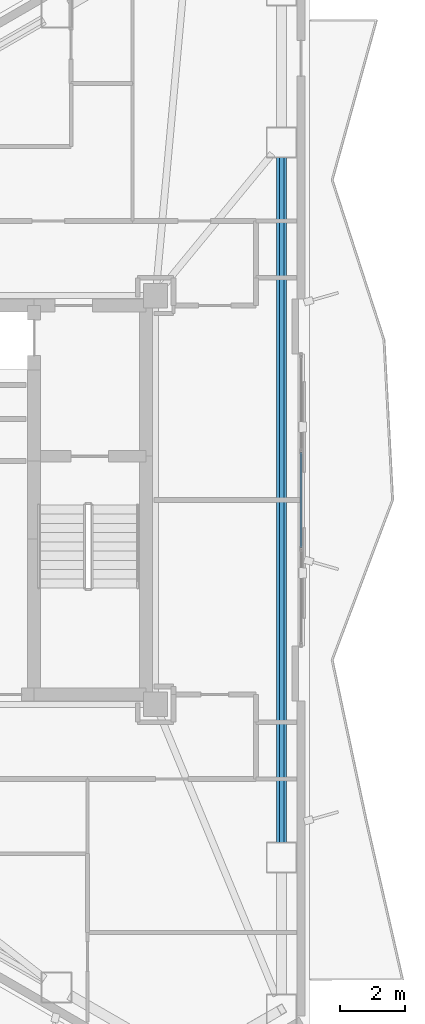
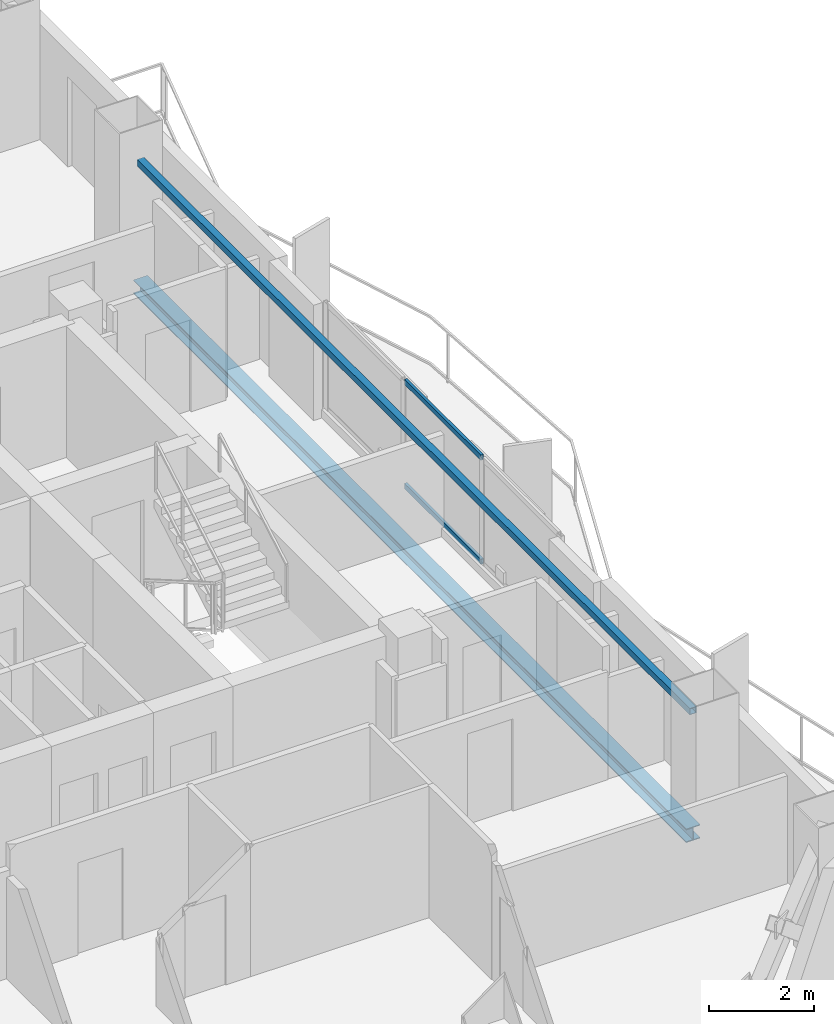
# One storey, part 12 of 21: 2 beams, 2 members, 1 element without a shape of its own.
"""IFC4 building model written with IfcOpenShell, lengths in metres."""

from ifc_helpers import new_model, si_unit, direction, frame, origin, origin_2d, place, context, subcontext, project, spatial, hollow_rectangle, i_section, extrude, material, layer, layer_set, material_profile, profile_set, type_object, element, aggregate, save


model = new_model("IFC4")

# Units and contexts
model_context = context("Model", 3, precision=1e-05, world=origin(), true_north=direction((0.0, 1.0)))
body_context = subcontext(model_context, "Body", "Model", "MODEL_VIEW")
ifc_project = project(units=[si_unit("LENGTHUNIT", "METRE"), si_unit("AREAUNIT", "SQUARE_METRE"), si_unit("VOLUMEUNIT", "CUBIC_METRE"), si_unit("PLANEANGLEUNIT", "RADIAN"), si_unit("MASSUNIT", "GRAM", prefix="KILO")], contexts=[model_context])

# Site, building, storey
site_placement = place(None, origin())
site = spatial("IfcSite", under=ifc_project, at=site_placement, CompositionType="ELEMENT")
building_placement = place(site_placement, origin())
building = spatial("IfcBuilding", under=site, at=building_placement, Name="Mersakhor Tower and Convention Hall", CompositionType="ELEMENT")
storey_placement = place(building_placement, frame((0.0, 0.0, 178.800048828125)))
storey = spatial("IfcBuildingStorey", under=building, at=storey_placement, Name="L49", CompositionType="ELEMENT", Elevation=178.800048828125)

# Beams
ifc_material_1 = material(Name="Steel S355", Category="steel")
ifc_material_profile_1 = material_profile(ifc_material_1, hollow_rectangle(XDim=0.14990234375, YDim=0.14990234375, WallThickness=0.010009765625, at=origin_2d()), Name="SHS 150x150x10")
ifc_profile_set_1 = profile_set([ifc_material_profile_1], Name="Steel S355")
beam_type_1 = type_object("IfcBeamType", Name="BM-GRT-SHS150", PredefinedType="USERDEFINED", material=ifc_profile_set_1)
beam_1_placement = place(storey_placement, frame((39.98828125, 37.31787109375, 2.47998046875), z_axis=(0.0, -1.0, 0.0), x_axis=(1.0, 0.0, 0.0)))
element("IfcBeam", 1, at=beam_1_placement, inside=storey, type_object=beam_type_1, Name="L49 Facade Support Girt GRT-F2", ObjectType="GIRT", PredefinedType="USERDEFINED", context=body_context, shape_type="SweptSolid", body=[
    extrude(hollow_rectangle(XDim=0.14990234375, YDim=0.14990234375, WallThickness=0.010009765625, at=origin_2d()), origin(), (0.0, 0.0, 1.0), 21.1357421875),
])
ifc_material_2 = material(Name="Steel S355", Category="steel")
ifc_material_profile_2 = material_profile(ifc_material_2, i_section(OverallWidth=0.30908203125, OverallDepth=0.320556640625, WebThickness=0.013916015625, FlangeThickness=0.021728515625, at=origin_2d()), Name="UC 305x305x137")
ifc_profile_set_2 = profile_set([ifc_material_profile_2], Name="Steel S355")
beam_type_2 = type_object("IfcBeamType", Name="BM-SPD-UC305", PredefinedType="SPANDREL", material=ifc_profile_set_2)
beam_2_placement = place(storey_placement, frame((39.98828125, 37.31787109375, -0.39013671875), z_axis=(0.0, -1.0, 0.0), x_axis=(1.0, 0.0, 0.0)))
element("IfcBeam", 2, at=beam_2_placement, inside=storey, type_object=beam_type_2, Name="L49 Perimeter Spandrel Beam SPB-06", PredefinedType="SPANDREL", context=body_context, shape_type="SweptSolid", body=[
    extrude(i_section(OverallWidth=0.30908203125, OverallDepth=0.320556640625, WebThickness=0.013916015625, FlangeThickness=0.021728515625, at=origin_2d()), origin(), (0.0, 0.0, 1.0), 21.1357421875),
])

# Curtain wall, members
ifc_material_3 = material(Name="Dark solar low-E aluminium curtain wall", Category="aluminium")
ifc_layer = layer(ifc_material_3, 0.169921875)
ifc_layer_set = layer_set([ifc_layer], Name="Dark solar low-E aluminium curtain wall")
curtain_wall_type = type_object("IfcCurtainWallType", Name="CW-SYS-02", PredefinedType="USERDEFINED", material=ifc_layer_set)
curtain_wall_placement = place(storey_placement, origin())
curtain_wall = element("IfcCurtainWall", 3, at=curtain_wall_placement, inside=storey, type_object=curtain_wall_type, Name="L49 Dark-Glass Curtain Wall F2-B2", ObjectType="CURTAIN WALL", PredefinedType="USERDEFINED")
ifc_material_4 = material(Name="Anodised aluminium EN AW-6063 T6", Category="aluminium")
ifc_material_profile_3 = material_profile(ifc_material_4, hollow_rectangle(XDim=0.06005859375, YDim=0.1201171875, WallThickness=0.0048828125, at=origin_2d()), Name="RHS 120x60x5")
ifc_profile_set_3 = profile_set([ifc_material_profile_3], Name="Anodised aluminium EN AW-6063 T6")
member_type = type_object("IfcMemberType", Name="CWT-120x60", PredefinedType="USERDEFINED", material=ifc_profile_set_3)
member_1_placement = place(storey_placement, frame((40.58837890625, 28.21240234375, 0.22998046875), z_axis=(0.0, -1.0, 0.0), x_axis=(1.0, 0.0, 0.0)))
member_1 = element("IfcMember", 4, at=member_1_placement, type_object=member_type, Name="CW-02 transom 2.1", ObjectType="TRANSOM", PredefinedType="USERDEFINED", context=body_context, shape_type="SweptSolid", body=[
    extrude(hollow_rectangle(XDim=0.06005859375, YDim=0.1201171875, WallThickness=0.0048828125, at=origin_2d()), origin(), (0.0, 0.0, 1.0), 2.9248046875),
])
member_2_placement = place(storey_placement, frame((40.58837890625, 28.21240234375, 2.659912109375), z_axis=(0.0, -1.0, 0.0), x_axis=(1.0, 0.0, 0.0)))
member_2 = element("IfcMember", 5, at=member_2_placement, type_object=member_type, Name="CW-02 transom 2.2", ObjectType="TRANSOM", PredefinedType="USERDEFINED", context=body_context, shape_type="SweptSolid", body=[
    extrude(hollow_rectangle(XDim=0.06005859375, YDim=0.1201171875, WallThickness=0.0048828125, at=origin_2d()), origin(), (0.0, 0.0, 1.0), 2.9248046875),
])
aggregate(curtain_wall, [member_1, member_2])

save(model, "model.ifc")
